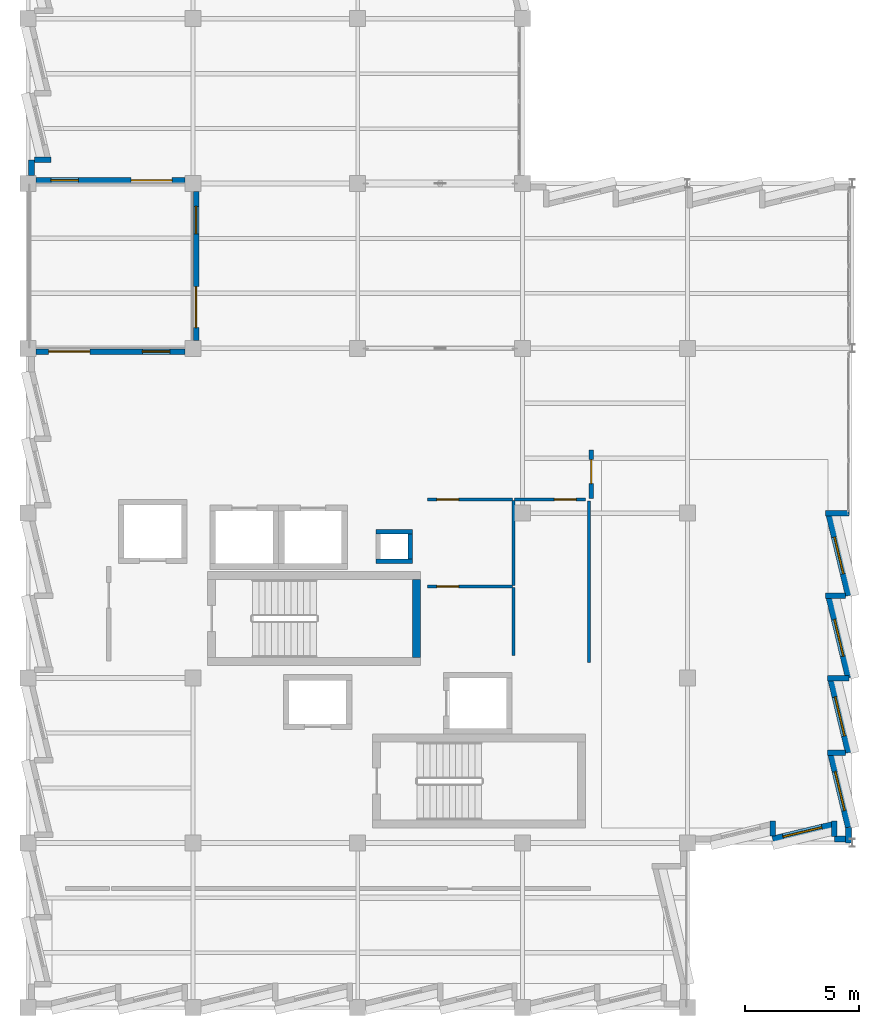
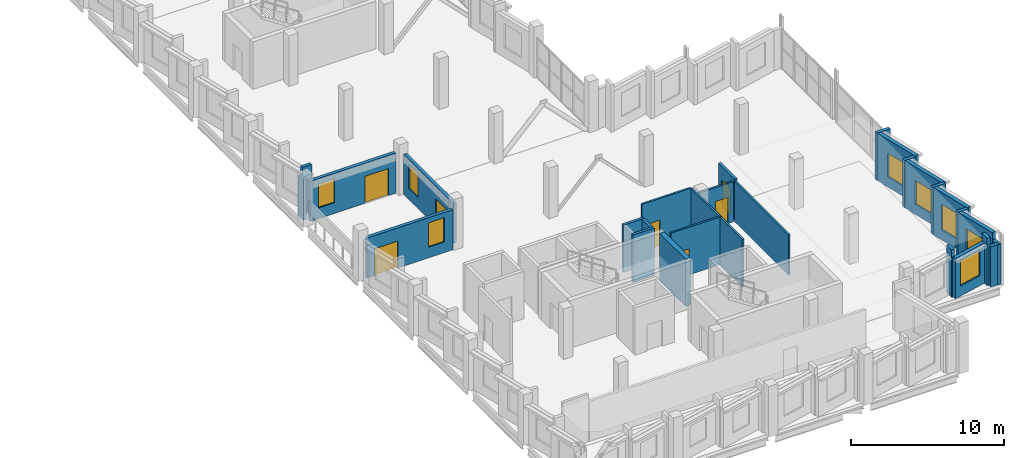
# One storey, part 24 of 33: 29 walls, 8 windows, 7 doors, 15 openings.
"""IFC4 building model written with IfcOpenShell, lengths in metres."""

from ifc_helpers import new_model, si_unit, direction, frame, frame_2d, origin, place, context, subcontext, project, spatial, rectangle, extrude, material, layer, layer_set, type_object, element, fill, save


model = new_model("IFC4")

# Units and contexts
model_context = context("Model", 3, precision=1e-05, world=origin(), true_north=direction((0.0, 1.0)))
body_context = subcontext(model_context, "Body", "Model", "MODEL_VIEW")
ifc_project = project(units=[si_unit("LENGTHUNIT", "METRE"), si_unit("AREAUNIT", "SQUARE_METRE"), si_unit("VOLUMEUNIT", "CUBIC_METRE"), si_unit("PLANEANGLEUNIT", "RADIAN"), si_unit("MASSUNIT", "GRAM", prefix="KILO")], contexts=[model_context])

# Site, building, storey
site_placement = place(None, origin())
site = spatial("IfcSite", under=ifc_project, at=site_placement, CompositionType="ELEMENT")
building_placement = place(site_placement, origin())
building = spatial("IfcBuilding", under=site, at=building_placement, Name="Kalmorath City Hall", CompositionType="ELEMENT")
storey_placement = place(building_placement, frame((0.0, 0.0, 22.949951171875)))
storey = spatial("IfcBuildingStorey", under=building, at=storey_placement, Name="L05", CompositionType="ELEMENT", Elevation=22.949951171875)

# Walls
ifc_material_1 = material(Name="Concrete C50/60", Category="concrete")
ifc_layer_1 = layer(ifc_material_1, 0.35009765625)
ifc_layer_set_1 = layer_set([ifc_layer_1], Name="Concrete C50/60")
wall_type_1 = type_object("IfcWallType", Name="Concrete core shear wall 350", PredefinedType="SHEAR", material=ifc_layer_set_1)
wall_1_placement = place(storey_placement, frame((16.97509765625, 15.300048828125, 0.0), z_axis=(0.0, 0.0, 1.0), x_axis=(0.0, 1.0, 0.0)))
element("IfcWall", 1, at=wall_1_placement, inside=storey, type_object=wall_type_1, Name="L05 C1 stair core shear wall E", PredefinedType="SHEAR", context=body_context, shape_type="SweptSolid", body=[
    extrude(rectangle(XDim=3.39990234375, YDim=0.35009765625, at=frame_2d((1.699951171875, 0.0))), origin(), (0.0, 0.0, 1.0), 3.800048828125),
])
ifc_material_2 = material(Name="Concrete C40/50", Category="concrete")
ifc_layer_2 = layer(ifc_material_2, 0.199951171875)
ifc_layer_set_2 = layer_set([ifc_layer_2], Name="Concrete C40/50")
wall_type_2 = type_object("IfcWallType", Name="Concrete service riser wall 200", PredefinedType="SOLIDWALL", material=ifc_layer_set_2)
for number, where, z_axis, x_axis, name in (
    (2, (15.199951171875, 19.5, 0.0), (0.0, 0.0, 1.0), (1.0, 0.0, 0.0), "L05 RSR-1 riser shaft wall S"),
    (3, (16.800048828125, 20.780029296875, 0.0), (0.0, 0.0, 1.0), (-1.0, 0.0, 0.0), "L05 RSR-1 riser shaft wall N"),
):
    element("IfcWall", number, at=place(storey_placement, frame(where, z_axis=z_axis, x_axis=x_axis)), inside=storey, type_object=wall_type_2, Name=name, PredefinedType="SOLIDWALL", context=body_context, shape_type="SweptSolid", body=[
        extrude(rectangle(XDim=1.60009765625, YDim=0.199951171875, at=frame_2d((0.800048828125, 0.0))), origin(), (0.0, 0.0, 1.0), 3.800048828125),
    ])
wall_2_placement = place(storey_placement, frame((16.699951171875, 19.60009765625, 0.0), z_axis=(0.0, 0.0, 1.0), x_axis=(0.0, 1.0, 0.0)))
element("IfcWall", 4, at=wall_2_placement, inside=storey, type_object=wall_type_2, Name="L05 RSR-1 riser shaft wall E", PredefinedType="SOLIDWALL", context=body_context, shape_type="SweptSolid", body=[
    extrude(rectangle(XDim=1.079833984375, YDim=0.199951171875, at=frame_2d((0.5400390625, 0.0))), origin(), (0.0, 0.0, 1.0), 3.800048828125),
])

# Wall, opening, door
ifc_material_3 = material(Name="Fire-rated acoustic gypsum partition")
ifc_layer_3 = layer(ifc_material_3, 0.179931640625)
ifc_layer_set_3 = layer_set([ifc_layer_3], Name="Fire-rated acoustic gypsum partition")
wall_type_3 = type_object("IfcWallType", Name="One-hour corridor fire partition 180", PredefinedType="PARTITIONING", material=ifc_layer_set_3)
wall_3_placement = place(storey_placement, frame((24.60009765625, 22.239990234375, 0.0), z_axis=(0.0, 0.0, 1.0), x_axis=(0.0, 1.0, 0.0)))
wall_3 = element("IfcWall", 5, at=wall_3_placement, inside=storey, type_object=wall_type_3, Name="L05 interior partition PW2 #175", PredefinedType="PARTITIONING", context=body_context, shape_type="SweptSolid", body=[
    extrude(rectangle(XDim=2.1201171875, YDim=0.179931640625, at=frame_2d((1.06005859375, 0.0))), origin(), (0.0, 0.0, 1.0), 3.2861328125),
])
opening_1_placement = place(wall_3_placement, frame((0.64990234375, 0.0, 0.0)))
opening_1 = element("IfcOpeningElement", 6, at=opening_1_placement, cuts=wall_3, Name="Opening D-L05-254", PredefinedType="OPENING", context=body_context, shape_type="SweptSolid", body=[
    extrude(rectangle(XDim=1.050048828125, YDim=2.14990234375, at=frame_2d((0.52490234375, 1.074951171875))), frame((0.0, 0.099853515625, 0.0), z_axis=(0.0, -1.0, 0.0), x_axis=(1.0, 0.0, 0.0)), (0.0, 0.0, 1.0), 0.199951171875),
])
ifc_material_4 = material(Name="Hardwood fire door", Category="wood")
door_type_1 = type_object("IfcDoorType", Name="Executive suite fire door 1050x2150", OperationType="NOTDEFINED", PredefinedType="DOOR", material=ifc_material_4)
door_1_placement = place(opening_1_placement, origin())
door_1 = element("IfcDoor", 7, at=door_1_placement, inside=storey, type_object=door_type_1, Name="L05 door D-L05-254", OperationType="SINGLE_SWING_RIGHT", OverallHeight=2.14990234375, OverallWidth=1.050048828125, PredefinedType="DOOR", context=body_context, shape_type="SweptSolid", body=[
    extrude(rectangle(XDim=1.050048828125, YDim=2.14990234375, at=frame_2d((0.52490234375, 1.074951171875))), frame((0.0, 0.02490234375, 0.0), z_axis=(0.0, -1.0, 0.0), x_axis=(1.0, 0.0, 0.0)), (0.0, 0.0, 1.0), 0.050048828125),
])
fill(opening_1, door_1)

# Walls
ifc_material_5 = material(Name="Precast concrete C40/50", Category="concrete")
ifc_layer_4 = layer(ifc_material_5, 0.239990234375)
ifc_layer_set_4 = layer_set([ifc_layer_4], Name="Precast concrete C40/50")
wall_type_4 = type_object("IfcWallType", Name="Precast sawtooth cheek wall 240", PredefinedType="SOLIDWALL", material=ifc_layer_set_4)
wall_4_placement = place(storey_placement, frame((34.830810546875, 21.60009765625, 0.0), z_axis=(0.0, 0.0, 1.0), x_axis=(1.0, 0.0, 0.0)))
element("IfcWall", 8, at=wall_4_placement, inside=storey, type_object=wall_type_4, Name="L05 sawtooth return cheek #847", PredefinedType="SOLIDWALL", context=body_context, shape_type="SweptSolid", body=[
    extrude(rectangle(XDim=1.019287109375, YDim=0.239990234375, at=frame_2d((0.509765625, 0.0))), origin(), (0.0, 0.0, 1.0), 3.800048828125),
])
wall_5_placement = place(storey_placement, frame((34.830810546875, 18.0, 0.0), z_axis=(0.0, 0.0, 1.0), x_axis=(1.0, 0.0, 0.0)))
element("IfcWall", 9, at=wall_5_placement, inside=storey, type_object=wall_type_4, Name="L05 sawtooth return cheek #849", PredefinedType="SOLIDWALL", context=body_context, shape_type="SweptSolid", body=[
    extrude(rectangle(XDim=0.877197265625, YDim=0.239990234375, at=frame_2d((0.4384765625, 0.0))), origin(), (0.0, 0.0, 1.0), 3.800048828125),
])
wall_6_placement = place(storey_placement, frame((34.912353515625, 14.39990234375, 0.0), z_axis=(0.0, 0.0, 1.0), x_axis=(1.0, 0.0, 0.0)))
element("IfcWall", 10, at=wall_6_placement, inside=storey, type_object=wall_type_4, Name="L05 sawtooth return cheek #852", PredefinedType="SOLIDWALL", context=body_context, shape_type="SweptSolid", body=[
    extrude(rectangle(XDim=0.937744140625, YDim=0.239990234375, at=frame_2d((0.46875, 0.0))), origin(), (0.0, 0.0, 1.0), 3.800048828125),
])
wall_7_placement = place(storey_placement, frame((34.912353515625, 11.139892578125, 0.0), z_axis=(0.0, 0.0, 1.0), x_axis=(1.0, 0.0, 0.0)))
element("IfcWall", 11, at=wall_7_placement, inside=storey, type_object=wall_type_4, Name="L05 sawtooth return cheek #854", PredefinedType="SOLIDWALL", context=body_context, shape_type="SweptSolid", body=[
    extrude(rectangle(XDim=0.795654296875, YDim=0.239990234375, at=frame_2d((0.39794921875, 0.0))), origin(), (0.0, 0.0, 1.0), 3.800048828125),
])
wall_8_placement = place(storey_placement, frame((35.217041015625, 8.151611328125, 0.0), z_axis=(0.0, 0.0, 1.0), x_axis=(0.0, -1.0, 0.0)))
element("IfcWall", 12, at=wall_8_placement, inside=storey, type_object=wall_type_4, Name="L05 sawtooth return cheek #858", PredefinedType="SOLIDWALL", context=body_context, shape_type="SweptSolid", body=[
    extrude(rectangle(XDim=0.669677734375, YDim=0.239990234375, at=frame_2d((0.3349609375, 0.0))), origin(), (0.0, 0.0, 1.0), 3.800048828125),
])
wall_9_placement = place(storey_placement, frame((32.52392578125, 8.151611328125, 0.0), z_axis=(0.0, 0.0, 1.0), x_axis=(0.0, -1.0, 0.0)))
element("IfcWall", 13, at=wall_9_placement, inside=storey, type_object=wall_type_4, Name="L05 sawtooth return cheek #860", PredefinedType="SOLIDWALL", context=body_context, shape_type="SweptSolid", body=[
    extrude(rectangle(XDim=0.65966796875, YDim=0.239990234375, at=frame_2d((0.329833984375, 0.0))), origin(), (0.0, 0.0, 1.0), 3.800048828125),
])
wall_10_placement = place(storey_placement, frame((1.00341796875, 37.031005859375, 0.0), z_axis=(0.0, 0.0, 1.0), x_axis=(-1.0, 0.0, 0.0)))
element("IfcWall", 14, at=wall_10_placement, inside=storey, type_object=wall_type_4, Name="L05 sawtooth return cheek #906", PredefinedType="SOLIDWALL", context=body_context, shape_type="SweptSolid", body=[
    extrude(rectangle(XDim=0.721435546875, YDim=0.239990234375, at=frame_2d((0.36083984375, 0.0))), origin(), (0.0, 0.0, 1.0), 3.800048828125),
])

# Wall, opening, window
ifc_material_6 = material(Name="Precast concrete C40/50", Category="concrete")
ifc_layer_5 = layer(ifc_material_6, 0.280029296875)
ifc_layer_set_5 = layer_set([ifc_layer_5], Name="Precast concrete C40/50")
wall_type_5 = type_object("IfcWallType", Name="Precast sawtooth facade wall 280", PredefinedType="SOLIDWALL", material=ifc_layer_set_5)
wall_11_placement = place(storey_placement, frame((34.997802734375, 21.507568359375, 0.0), z_axis=(0.0, 0.0, 1.0), x_axis=(0.233495818898, -0.972357805829, 0.0)))
wall_11 = element("IfcWall", 15, at=wall_11_placement, inside=storey, type_object=wall_type_5, Name="L05 sawtooth precast frame #846", PredefinedType="SOLIDWALL", context=body_context, shape_type="SweptSolid", body=[
    extrude(rectangle(XDim=3.607177734375, YDim=0.280029296875, at=frame_2d((1.8037109375, 0.0))), origin(), (0.0, 0.0, 1.0), 3.800048828125),
])
opening_2_placement = place(wall_11_placement, frame((0.978515625, 0.0, 0.800048828125)))
opening_2 = element("IfcOpeningElement", 16, at=opening_2_placement, cuts=wall_11, Name="Opening WN2", PredefinedType="OPENING", context=body_context, shape_type="SweptSolid", body=[
    extrude(rectangle(XDim=1.64990234375, YDim=1.89990234375, at=frame_2d((0.824951171875, 0.949951171875))), frame((0.0, 0.14990234375, 0.0), z_axis=(0.0, -1.0, 0.0), x_axis=(1.0, 0.0, 0.0)), (0.0, 0.0, 1.0), 0.300048828125),
])
ifc_material_7 = material(Name="Aluminium and laminated glass", Category="aluminium")
window_type_1 = type_object("IfcWindowType", Name="Sawtooth hurricane window 1650x1900", PartitioningType="SINGLE_PANEL", PredefinedType="WINDOW", material=ifc_material_7)
window_1_placement = place(opening_2_placement, origin())
window_1 = element("IfcWindow", 17, at=window_1_placement, inside=storey, type_object=window_type_1, Name="L05 window WN2-440", OverallHeight=1.89990234375, OverallWidth=1.64990234375, PartitioningType="SINGLE_PANEL", PredefinedType="WINDOW", context=body_context, shape_type="SweptSolid", body=[
    extrude(rectangle(XDim=1.64990234375, YDim=1.89990234375, at=frame_2d((0.824951171875, 0.949951171875))), frame((0.0, 0.030029296875, 0.0), z_axis=(0.0, -1.0, 0.0), x_axis=(1.0, 0.0, 0.0)), (0.0, 0.0, 1.0), 0.06005859375),
])
fill(opening_2, window_1)

wall_12_placement = place(storey_placement, frame((34.997802734375, 17.90771484375, 0.0), z_axis=(0.0, 0.0, 1.0), x_axis=(0.233480453725, -0.972361495396, 0.0)))
wall_12 = element("IfcWall", 18, at=wall_12_placement, inside=storey, type_object=wall_type_5, Name="L05 sawtooth precast frame #848", PredefinedType="SOLIDWALL", context=body_context, shape_type="SweptSolid", body=[
    extrude(rectangle(XDim=3.607421875, YDim=0.280029296875, at=frame_2d((1.8037109375, 0.0))), origin(), (0.0, 0.0, 1.0), 3.800048828125),
])
opening_3_placement = place(wall_12_placement, frame((0.978515625, 0.0, 0.800048828125)))
opening_3 = element("IfcOpeningElement", 19, at=opening_3_placement, cuts=wall_12, Name="Opening WN2", PredefinedType="OPENING", context=body_context, shape_type="SweptSolid", body=[
    extrude(rectangle(XDim=1.64990234375, YDim=1.89990234375, at=frame_2d((0.824951171875, 0.949951171875))), frame((0.0, 0.14990234375, 0.0), z_axis=(0.0, -1.0, 0.0), x_axis=(1.0, 0.0, 0.0)), (0.0, 0.0, 1.0), 0.300048828125),
])
window_2_placement = place(opening_3_placement, origin())
window_2 = element("IfcWindow", 20, at=window_2_placement, inside=storey, type_object=window_type_1, Name="L05 window WN2-441", OverallHeight=1.89990234375, OverallWidth=1.64990234375, PartitioningType="SINGLE_PANEL", PredefinedType="WINDOW", context=body_context, shape_type="SweptSolid", body=[
    extrude(rectangle(XDim=1.64990234375, YDim=1.89990234375, at=frame_2d((0.824951171875, 0.949951171875))), frame((0.0, 0.030029296875, 0.0), z_axis=(0.0, -1.0, 0.0), x_axis=(1.0, 0.0, 0.0)), (0.0, 0.0, 1.0), 0.06005859375),
])
fill(opening_3, window_2)

wall_13_placement = place(storey_placement, frame((35.07958984375, 14.3076171875, 0.0), z_axis=(0.0, 0.0, 1.0), x_axis=(0.233443812137, -0.972370292931, 0.0)))
wall_13 = element("IfcWall", 21, at=wall_13_placement, inside=storey, type_object=wall_type_5, Name="L05 sawtooth precast frame #851", PredefinedType="SOLIDWALL", context=body_context, shape_type="SweptSolid", body=[
    extrude(rectangle(XDim=3.2578125, YDim=0.280029296875, at=frame_2d((1.62890625, 0.0))), origin(), (0.0, 0.0, 1.0), 3.800048828125),
])
opening_4_placement = place(wall_13_placement, frame((0.75390625, 0.0, 0.800048828125)))
opening_4 = element("IfcOpeningElement", 22, at=opening_4_placement, cuts=wall_13, Name="Opening WN1", PredefinedType="OPENING", context=body_context, shape_type="SweptSolid", body=[
    extrude(rectangle(XDim=1.75, YDim=2.050048828125, at=frame_2d((0.875, 1.02490234375))), frame((0.0, 0.14990234375, 0.0), z_axis=(0.0, -1.0, 0.0), x_axis=(1.0, 0.0, 0.0)), (0.0, 0.0, 1.0), 0.300048828125),
])
ifc_material_8 = material(Name="Aluminium and laminated glass", Category="aluminium")
window_type_2 = type_object("IfcWindowType", Name="Sawtooth hurricane window 1750x2050", PartitioningType="SINGLE_PANEL", PredefinedType="WINDOW", material=ifc_material_8)
window_3_placement = place(opening_4_placement, origin())
window_3 = element("IfcWindow", 23, at=window_3_placement, inside=storey, type_object=window_type_2, Name="L05 window WN1-442", OverallHeight=2.050048828125, OverallWidth=1.75, PartitioningType="SINGLE_PANEL", PredefinedType="WINDOW", context=body_context, shape_type="SweptSolid", body=[
    extrude(rectangle(XDim=1.75, YDim=2.050048828125, at=frame_2d((0.875, 1.02490234375))), frame((0.0, 0.030029296875, 0.0), z_axis=(0.0, -1.0, 0.0), x_axis=(1.0, 0.0, 0.0)), (0.0, 0.0, 1.0), 0.06005859375),
])
fill(opening_4, window_3)

wall_14_placement = place(storey_placement, frame((35.07958984375, 11.047607421875, 0.0), z_axis=(0.0, 0.0, 1.0), x_axis=(0.233443812137, -0.972370292931, 0.0)))
wall_14 = element("IfcWall", 24, at=wall_14_placement, inside=storey, type_object=wall_type_5, Name="L05 sawtooth precast frame #853", PredefinedType="SOLIDWALL", context=body_context, shape_type="SweptSolid", body=[
    extrude(rectangle(XDim=3.2578125, YDim=0.280029296875, at=frame_2d((1.62890625, 0.0))), origin(), (0.0, 0.0, 1.0), 3.800048828125),
])
opening_5_placement = place(wall_14_placement, frame((0.75390625, 0.0, 0.800048828125)))
opening_5 = element("IfcOpeningElement", 25, at=opening_5_placement, cuts=wall_14, Name="Opening WN1", PredefinedType="OPENING", context=body_context, shape_type="SweptSolid", body=[
    extrude(rectangle(XDim=1.75, YDim=2.050048828125, at=frame_2d((0.875, 1.02490234375))), frame((0.0, 0.14990234375, 0.0), z_axis=(0.0, -1.0, 0.0), x_axis=(1.0, 0.0, 0.0)), (0.0, 0.0, 1.0), 0.300048828125),
])
window_4_placement = place(opening_5_placement, origin())
window_4 = element("IfcWindow", 26, at=window_4_placement, inside=storey, type_object=window_type_2, Name="L05 window WN1-443", OverallHeight=2.050048828125, OverallWidth=1.75, PartitioningType="SINGLE_PANEL", PredefinedType="WINDOW", context=body_context, shape_type="SweptSolid", body=[
    extrude(rectangle(XDim=1.75, YDim=2.050048828125, at=frame_2d((0.875, 1.02490234375))), frame((0.0, 0.030029296875, 0.0), z_axis=(0.0, -1.0, 0.0), x_axis=(1.0, 0.0, 0.0)), (0.0, 0.0, 1.0), 0.06005859375),
])
fill(opening_5, window_4)

wall_15_placement = place(storey_placement, frame((35.12451171875, 7.984375, 0.0), z_axis=(0.0, 0.0, 1.0), x_axis=(-0.972376528942, -0.233417835571, 0.0)))
wall_15 = element("IfcWall", 27, at=wall_15_placement, inside=storey, type_object=wall_type_5, Name="L05 sawtooth precast frame #857", PredefinedType="SOLIDWALL", context=body_context, shape_type="SweptSolid", body=[
    extrude(rectangle(XDim=2.674560546875, YDim=0.280029296875, at=frame_2d((1.33740234375, 0.0))), origin(), (0.0, 0.0, 1.0), 3.216064453125),
])
opening_6_placement = place(wall_15_placement, frame((0.46240234375, 0.0, 0.800048828125)))
opening_6 = element("IfcOpeningElement", 28, at=opening_6_placement, cuts=wall_15, Name="Opening WN1", PredefinedType="OPENING", context=body_context, shape_type="SweptSolid", body=[
    extrude(rectangle(XDim=1.75, YDim=2.050048828125, at=frame_2d((0.875, 1.02490234375))), frame((0.0, 0.14990234375, 0.0), z_axis=(0.0, -1.0, 0.0), x_axis=(1.0, 0.0, 0.0)), (0.0, 0.0, 1.0), 0.300048828125),
])
window_5_placement = place(opening_6_placement, origin())
window_5 = element("IfcWindow", 29, at=window_5_placement, inside=storey, type_object=window_type_2, Name="L05 window WN1-444", OverallHeight=2.050048828125, OverallWidth=1.75, PartitioningType="SINGLE_PANEL", PredefinedType="WINDOW", context=body_context, shape_type="SweptSolid", body=[
    extrude(rectangle(XDim=1.75, YDim=2.050048828125, at=frame_2d((0.875, 1.02490234375))), frame((0.0, 0.030029296875, 0.0), z_axis=(0.0, -1.0, 0.0), x_axis=(1.0, 0.0, 0.0)), (0.0, 0.0, 1.0), 0.06005859375),
])
fill(opening_6, window_5)

# Walls
ifc_material_9 = material(Name="Precast concrete C40/50", Category="concrete")
ifc_layer_6 = layer(ifc_material_9, 0.260009765625)
ifc_layer_set_6 = layer_set([ifc_layer_6], Name="Precast concrete C40/50")
wall_type_6 = type_object("IfcWallType", Name="Precast sawtooth return wall 260", PredefinedType="SOLIDWALL", material=ifc_layer_set_6)
for number, where, z_axis, x_axis, name in (
    (30, (35.840087890625, 7.8798828125, 0.0), (0.0, 0.0, 1.0), (0.0, -1.0, 0.0), "L05 corner pier wall #850"),
    (31, (35.89697265625, 7.360107421875, 0.0), (0.0, 0.0, 1.0), (-1.0, 0.0, 0.0), "L05 corner pier wall #855"),
    (32, (0.159912109375, 36.35107421875, 0.0), (0.0, 0.0, 1.0), (0.0, 1.0, 0.0), "L05 corner pier wall #904"),
):
    element("IfcWall", number, at=place(storey_placement, frame(where, z_axis=z_axis, x_axis=x_axis)), inside=storey, type_object=wall_type_6, Name=name, PredefinedType="SOLIDWALL", context=body_context, shape_type="SweptSolid", body=[
        extrude(rectangle(XDim=0.679931640625, YDim=0.260009765625, at=frame_2d((0.33984375, 0.0))), origin(), (0.0, 0.0, 1.0), 3.216064453125),
    ])

# Wall, openings, window, door
ifc_material_10 = material(Name="Precast concrete C40/50", Category="concrete")
ifc_layer_7 = layer(ifc_material_10, 0.239990234375)
ifc_layer_set_7 = layer_set([ifc_layer_7], Name="Precast concrete C40/50")
wall_type_7 = type_object("IfcWallType", Name="Recessed loggia insulated wall 240", PredefinedType="SOLIDWALL", material=ifc_layer_set_7)
wall_16_placement = place(storey_placement, frame((0.35107421875, 28.659912109375, 0.0), z_axis=(0.0, 0.0, 1.0), x_axis=(1.0, 0.0, 0.0)))
wall_16 = element("IfcWall", 33, at=wall_16_placement, inside=storey, type_object=wall_type_7, Name="L05 loggia wall #901", PredefinedType="SOLIDWALL", context=body_context, shape_type="SweptSolid", body=[
    extrude(rectangle(XDim=6.498046875, YDim=0.239990234375, at=frame_2d((3.2490234375, 0.0))), origin(), (0.0, 0.0, 1.0), 3.2060546875),
])
opening_7_placement = place(wall_16_placement, frame((0.550048828125, 0.0, 0.0)))
opening_7 = element("IfcOpeningElement", 34, at=opening_7_placement, cuts=wall_16, Name="Opening D-E031", PredefinedType="OPENING", context=body_context, shape_type="SweptSolid", body=[
    extrude(rectangle(XDim=1.800048828125, YDim=2.14990234375, at=frame_2d((0.89990234375, 1.074951171875))), frame((0.0, 0.1298828125, 0.0), z_axis=(0.0, -1.0, 0.0), x_axis=(1.0, 0.0, 0.0)), (0.0, 0.0, 1.0), 0.260009765625),
])
opening_8_placement = place(wall_16_placement, frame((4.64794921875, 0.0, 0.85009765625)))
opening_8 = element("IfcOpeningElement", 35, at=opening_8_placement, cuts=wall_16, Name="Opening WN16", PredefinedType="OPENING", context=body_context, shape_type="SweptSolid", body=[
    extrude(rectangle(XDim=1.199951171875, YDim=1.949951171875, at=frame_2d((0.60009765625, 0.97509765625))), frame((0.0, 0.1298828125, 0.0), z_axis=(0.0, -1.0, 0.0), x_axis=(1.0, 0.0, 0.0)), (0.0, 0.0, 1.0), 0.260009765625),
])
ifc_material_11 = material(Name="Hardwood-trimmed laminated glass", Category="wood")
window_type_3 = type_object("IfcWindowType", Name="Loggia sidelight window 1200x1950", PartitioningType="SINGLE_PANEL", PredefinedType="WINDOW", material=ifc_material_11)
window_6_placement = place(opening_8_placement, origin())
window_6 = element("IfcWindow", 36, at=window_6_placement, inside=storey, type_object=window_type_3, Name="L05 window WN16-463", OverallHeight=1.949951171875, OverallWidth=1.199951171875, PartitioningType="SINGLE_PANEL", PredefinedType="WINDOW", context=body_context, shape_type="SweptSolid", body=[
    extrude(rectangle(XDim=1.199951171875, YDim=1.949951171875, at=frame_2d((0.60009765625, 0.97509765625))), frame((0.0, 0.030029296875, 0.0), z_axis=(0.0, -1.0, 0.0), x_axis=(1.0, 0.0, 0.0)), (0.0, 0.0, 1.0), 0.06005859375),
])
fill(opening_8, window_6)
ifc_material_12 = material(Name="Bronze-anodised aluminium and glass", Category="aluminium")
door_type_2 = type_object("IfcDoorType", Name="Roof garden double terrace door 1800x2150", OperationType="DOUBLE_DOOR_SINGLE_SWING", PredefinedType="DOOR", material=ifc_material_12)
door_2_placement = place(opening_7_placement, origin())
door_2 = element("IfcDoor", 37, at=door_2_placement, inside=storey, type_object=door_type_2, Name="L05 exterior door D-E031", OperationType="DOUBLE_DOOR_SINGLE_SWING", OverallHeight=2.14990234375, OverallWidth=1.800048828125, PredefinedType="DOOR", context=body_context, shape_type="SweptSolid", body=[
    extrude(rectangle(XDim=1.800048828125, YDim=2.14990234375, at=frame_2d((0.89990234375, 1.074951171875))), frame((0.0, 0.02490234375, 0.0), z_axis=(0.0, -1.0, 0.0), x_axis=(1.0, 0.0, 0.0)), (0.0, 0.0, 1.0), 0.050048828125),
])
fill(opening_7, door_2)

wall_17_placement = place(storey_placement, frame((7.340087890625, 29.15087890625, 0.0), z_axis=(0.0, 0.0, 1.0), x_axis=(0.0, 1.0, 0.0)))
wall_17 = element("IfcWall", 38, at=wall_17_placement, inside=storey, type_object=wall_type_7, Name="L05 loggia wall #902", PredefinedType="SOLIDWALL", context=body_context, shape_type="SweptSolid", body=[
    extrude(rectangle(XDim=6.498046875, YDim=0.239990234375, at=frame_2d((3.2490234375, 0.0))), origin(), (0.0, 0.0, 1.0), 3.2060546875),
])
opening_9_placement = place(wall_17_placement, frame((0.550048828125, 0.0, 0.0)))
opening_9 = element("IfcOpeningElement", 39, at=opening_9_placement, cuts=wall_17, Name="Opening D-E032", PredefinedType="OPENING", context=body_context, shape_type="SweptSolid", body=[
    extrude(rectangle(XDim=1.800048828125, YDim=2.14990234375, at=frame_2d((0.89990234375, 1.074951171875))), frame((0.0, 0.1298828125, 0.0), z_axis=(0.0, -1.0, 0.0), x_axis=(1.0, 0.0, 0.0)), (0.0, 0.0, 1.0), 0.260009765625),
])
opening_10_placement = place(wall_17_placement, frame((4.64794921875, 0.0, 0.85009765625)))
opening_10 = element("IfcOpeningElement", 40, at=opening_10_placement, cuts=wall_17, Name="Opening WN16", PredefinedType="OPENING", context=body_context, shape_type="SweptSolid", body=[
    extrude(rectangle(XDim=1.199951171875, YDim=1.949951171875, at=frame_2d((0.60009765625, 0.97509765625))), frame((0.0, 0.1298828125, 0.0), z_axis=(0.0, -1.0, 0.0), x_axis=(1.0, 0.0, 0.0)), (0.0, 0.0, 1.0), 0.260009765625),
])
window_7_placement = place(opening_10_placement, origin())
window_7 = element("IfcWindow", 41, at=window_7_placement, inside=storey, type_object=window_type_3, Name="L05 window WN16-464", OverallHeight=1.949951171875, OverallWidth=1.199951171875, PartitioningType="SINGLE_PANEL", PredefinedType="WINDOW", context=body_context, shape_type="SweptSolid", body=[
    extrude(rectangle(XDim=1.199951171875, YDim=1.949951171875, at=frame_2d((0.60009765625, 0.97509765625))), frame((0.0, 0.030029296875, 0.0), z_axis=(0.0, -1.0, 0.0), x_axis=(1.0, 0.0, 0.0)), (0.0, 0.0, 1.0), 0.06005859375),
])
fill(opening_10, window_7)
door_3_placement = place(opening_9_placement, origin())
door_3 = element("IfcDoor", 42, at=door_3_placement, inside=storey, type_object=door_type_2, Name="L05 exterior door D-E032", OperationType="DOUBLE_DOOR_SINGLE_SWING", OverallHeight=2.14990234375, OverallWidth=1.800048828125, PredefinedType="DOOR", context=body_context, shape_type="SweptSolid", body=[
    extrude(rectangle(XDim=1.800048828125, YDim=2.14990234375, at=frame_2d((0.89990234375, 1.074951171875))), frame((0.0, 0.02490234375, 0.0), z_axis=(0.0, -1.0, 0.0), x_axis=(1.0, 0.0, 0.0)), (0.0, 0.0, 1.0), 0.050048828125),
])
fill(opening_9, door_3)

wall_18_placement = place(storey_placement, frame((6.84912109375, 36.139892578125, 0.0), z_axis=(0.0, 0.0, 1.0), x_axis=(-1.0, 0.0, 0.0)))
wall_18 = element("IfcWall", 43, at=wall_18_placement, inside=storey, type_object=wall_type_7, Name="L05 loggia wall #903", PredefinedType="SOLIDWALL", context=body_context, shape_type="SweptSolid", body=[
    extrude(rectangle(XDim=6.498046875, YDim=0.239990234375, at=frame_2d((3.2490234375, 0.0))), origin(), (0.0, 0.0, 1.0), 3.2060546875),
])
opening_11_placement = place(wall_18_placement, frame((0.550048828125, 0.0, 0.0)))
opening_11 = element("IfcOpeningElement", 44, at=opening_11_placement, cuts=wall_18, Name="Opening D-E033", PredefinedType="OPENING", context=body_context, shape_type="SweptSolid", body=[
    extrude(rectangle(XDim=1.800048828125, YDim=2.14990234375, at=frame_2d((0.89990234375, 1.074951171875))), frame((0.0, 0.1298828125, 0.0), z_axis=(0.0, -1.0, 0.0), x_axis=(1.0, 0.0, 0.0)), (0.0, 0.0, 1.0), 0.260009765625),
])
opening_12_placement = place(wall_18_placement, frame((4.64794921875, 0.0, 0.85009765625)))
opening_12 = element("IfcOpeningElement", 45, at=opening_12_placement, cuts=wall_18, Name="Opening WN16", PredefinedType="OPENING", context=body_context, shape_type="SweptSolid", body=[
    extrude(rectangle(XDim=1.199951171875, YDim=1.949951171875, at=frame_2d((0.60009765625, 0.97509765625))), frame((0.0, 0.1298828125, 0.0), z_axis=(0.0, -1.0, 0.0), x_axis=(1.0, 0.0, 0.0)), (0.0, 0.0, 1.0), 0.260009765625),
])
window_8_placement = place(opening_12_placement, origin())
window_8 = element("IfcWindow", 46, at=window_8_placement, inside=storey, type_object=window_type_3, Name="L05 window WN16-465", OverallHeight=1.949951171875, OverallWidth=1.199951171875, PartitioningType="SINGLE_PANEL", PredefinedType="WINDOW", context=body_context, shape_type="SweptSolid", body=[
    extrude(rectangle(XDim=1.199951171875, YDim=1.949951171875, at=frame_2d((0.60009765625, 0.97509765625))), frame((0.0, 0.030029296875, 0.0), z_axis=(0.0, -1.0, 0.0), x_axis=(1.0, 0.0, 0.0)), (0.0, 0.0, 1.0), 0.06005859375),
])
fill(opening_12, window_8)
door_4_placement = place(opening_11_placement, origin())
door_4 = element("IfcDoor", 47, at=door_4_placement, inside=storey, type_object=door_type_2, Name="L05 exterior door D-E033", OperationType="DOUBLE_DOOR_SINGLE_SWING", OverallHeight=2.14990234375, OverallWidth=1.800048828125, PredefinedType="DOOR", context=body_context, shape_type="SweptSolid", body=[
    extrude(rectangle(XDim=1.800048828125, YDim=2.14990234375, at=frame_2d((0.89990234375, 1.074951171875))), frame((0.0, 0.02490234375, 0.0), z_axis=(0.0, -1.0, 0.0), x_axis=(1.0, 0.0, 0.0)), (0.0, 0.0, 1.0), 0.050048828125),
])
fill(opening_11, door_4)

# Wall, opening, door
ifc_material_13 = material(Name="Moisture-resistant fire-rated partition")
ifc_layer_8 = layer(ifc_material_13, 0.139892578125)
ifc_layer_set_8 = layer_set([ifc_layer_8], Name="Moisture-resistant fire-rated partition")
wall_type_8 = type_object("IfcWallType", Name="Restroom wet-wall tile partition 140", PredefinedType="PARTITIONING", material=ifc_layer_set_8)
wall_19_placement = place(storey_placement, frame((17.43994140625, 22.199951171875, 0.0), z_axis=(0.0, 0.0, 1.0), x_axis=(1.0, 0.0, 0.0)))
wall_19 = element("IfcWall", 48, at=wall_19_placement, inside=storey, type_object=wall_type_8, Name="L05 interior partition PW5 #176", PredefinedType="PARTITIONING", context=body_context, shape_type="SweptSolid", body=[
    extrude(rectangle(XDim=3.719970703125, YDim=0.139892578125, at=frame_2d((1.85986328125, 0.0))), origin(), (0.0, 0.0, 1.0), 3.800048828125),
])
opening_13_placement = place(wall_19_placement, frame((0.419921875, 0.0, 0.0)))
opening_13 = element("IfcOpeningElement", 49, at=opening_13_placement, cuts=wall_19, Name="Opening D-L05-258", PredefinedType="OPENING", context=body_context, shape_type="SweptSolid", body=[
    extrude(rectangle(XDim=0.949951171875, YDim=2.080078125, at=frame_2d((0.47509765625, 1.0400390625))), frame((0.0, 0.079833984375, 0.0), z_axis=(0.0, -1.0, 0.0), x_axis=(1.0, 0.0, 0.0)), (0.0, 0.0, 1.0), 0.159912109375),
])
ifc_material_14 = material(Name="Laminate solid-core door")
door_type_3 = type_object("IfcDoorType", Name="Restroom accessible door 950x2080", OperationType="NOTDEFINED", PredefinedType="DOOR", material=ifc_material_14)
door_5_placement = place(opening_13_placement, origin())
door_5 = element("IfcDoor", 50, at=door_5_placement, inside=storey, type_object=door_type_3, Name="L05 door D-L05-258", OperationType="SINGLE_SWING_RIGHT", OverallHeight=2.080078125, OverallWidth=0.949951171875, PredefinedType="DOOR", context=body_context, shape_type="SweptSolid", body=[
    extrude(rectangle(XDim=0.949951171875, YDim=2.080078125, at=frame_2d((0.47509765625, 1.0400390625))), frame((0.0, 0.02490234375, 0.0), z_axis=(0.0, -1.0, 0.0), x_axis=(1.0, 0.0, 0.0)), (0.0, 0.0, 1.0), 0.050048828125),
])
fill(opening_13, door_5)

wall_20_placement = place(storey_placement, frame((21.239990234375, 22.199951171875, 0.0), z_axis=(0.0, 0.0, 1.0), x_axis=(1.0, 0.0, 0.0)))
wall_20 = element("IfcWall", 51, at=wall_20_placement, inside=storey, type_object=wall_type_8, Name="L05 interior partition PW5 #177", PredefinedType="PARTITIONING", context=body_context, shape_type="SweptSolid", body=[
    extrude(rectangle(XDim=3.1201171875, YDim=0.139892578125, at=frame_2d((1.56005859375, 0.0))), origin(), (0.0, 0.0, 1.0), 3.2060546875),
])
opening_14_placement = place(wall_20_placement, frame((1.75, 0.0, 0.0)))
opening_14 = element("IfcOpeningElement", 52, at=opening_14_placement, cuts=wall_20, Name="Opening D-L05-259", PredefinedType="OPENING", context=body_context, shape_type="SweptSolid", body=[
    extrude(rectangle(XDim=0.949951171875, YDim=2.080078125, at=frame_2d((0.47509765625, 1.0400390625))), frame((0.0, 0.079833984375, 0.0), z_axis=(0.0, -1.0, 0.0), x_axis=(1.0, 0.0, 0.0)), (0.0, 0.0, 1.0), 0.159912109375),
])
door_6_placement = place(opening_14_placement, origin())
door_6 = element("IfcDoor", 53, at=door_6_placement, inside=storey, type_object=door_type_3, Name="L05 door D-L05-259", OperationType="SINGLE_SWING_LEFT", OverallHeight=2.080078125, OverallWidth=0.949951171875, PredefinedType="DOOR", context=body_context, shape_type="SweptSolid", body=[
    extrude(rectangle(XDim=0.949951171875, YDim=2.080078125, at=frame_2d((0.47509765625, 1.0400390625))), frame((0.0, 0.02490234375, 0.0), z_axis=(0.0, -1.0, 0.0), x_axis=(1.0, 0.0, 0.0)), (0.0, 0.0, 1.0), 0.050048828125),
])
fill(opening_14, door_6)

# Wall
wall_21_placement = place(storey_placement, frame((24.5, 15.07080078125, 0.0), z_axis=(0.0, 0.0, 1.0), x_axis=(0.0, 1.0, 0.0)))
element("IfcWall", 54, at=wall_21_placement, inside=storey, type_object=wall_type_8, Name="L05 interior partition PW5 #179", PredefinedType="PARTITIONING", context=body_context, shape_type="SweptSolid", body=[
    extrude(rectangle(XDim=7.05859375, YDim=0.139892578125, at=frame_2d((3.529296875, 0.0))), origin(), (0.0, 0.0, 1.0), 3.2060546875),
])

# Wall, opening, door
wall_22_placement = place(storey_placement, frame((17.43994140625, 18.39990234375, 0.0), z_axis=(0.0, 0.0, 1.0), x_axis=(1.0, 0.0, 0.0)))
wall_22 = element("IfcWall", 55, at=wall_22_placement, inside=storey, type_object=wall_type_8, Name="L05 interior partition PW5 #180", PredefinedType="PARTITIONING", context=body_context, shape_type="SweptSolid", body=[
    extrude(rectangle(XDim=3.719970703125, YDim=0.139892578125, at=frame_2d((1.85986328125, 0.0))), origin(), (0.0, 0.0, 1.0), 3.800048828125),
])
opening_15_placement = place(wall_22_placement, frame((0.419921875, 0.0, 0.0)))
opening_15 = element("IfcOpeningElement", 56, at=opening_15_placement, cuts=wall_22, Name="Opening D-L05-257", PredefinedType="OPENING", context=body_context, shape_type="SweptSolid", body=[
    extrude(rectangle(XDim=0.949951171875, YDim=2.080078125, at=frame_2d((0.47509765625, 1.0400390625))), frame((0.0, 0.079833984375, 0.0), z_axis=(0.0, -1.0, 0.0), x_axis=(1.0, 0.0, 0.0)), (0.0, 0.0, 1.0), 0.159912109375),
])
door_7_placement = place(opening_15_placement, origin())
door_7 = element("IfcDoor", 57, at=door_7_placement, inside=storey, type_object=door_type_3, Name="L05 door D-L05-257", OperationType="SINGLE_SWING_LEFT", OverallHeight=2.080078125, OverallWidth=0.949951171875, PredefinedType="DOOR", context=body_context, shape_type="SweptSolid", body=[
    extrude(rectangle(XDim=0.949951171875, YDim=2.080078125, at=frame_2d((0.47509765625, 1.0400390625))), frame((0.0, 0.02490234375, 0.0), z_axis=(0.0, -1.0, 0.0), x_axis=(1.0, 0.0, 0.0)), (0.0, 0.0, 1.0), 0.050048828125),
])
fill(opening_15, door_7)

# Walls
wall_23_placement = place(storey_placement, frame((21.199951171875, 15.389892578125, 0.0), z_axis=(0.0, 0.0, 1.0), x_axis=(0.0, 1.0, 0.0)))
element("IfcWall", 58, at=wall_23_placement, inside=storey, type_object=wall_type_8, Name="L05 interior partition PW5 #181", PredefinedType="PARTITIONING", context=body_context, shape_type="SweptSolid", body=[
    extrude(rectangle(XDim=2.97021484375, YDim=0.139892578125, at=frame_2d((1.485107421875, 0.0))), origin(), (0.0, 0.0, 1.0), 3.800048828125),
])
wall_24_placement = place(storey_placement, frame((21.199951171875, 18.43994140625, 0.0), z_axis=(0.0, 0.0, 1.0), x_axis=(0.0, 1.0, 0.0)))
element("IfcWall", 59, at=wall_24_placement, inside=storey, type_object=wall_type_8, Name="L05 interior partition PW5 #182", PredefinedType="PARTITIONING", context=body_context, shape_type="SweptSolid", body=[
    extrude(rectangle(XDim=3.719970703125, YDim=0.139892578125, at=frame_2d((1.85986328125, 0.0))), origin(), (0.0, 0.0, 1.0), 3.800048828125),
])

save(model, "model.ifc")
